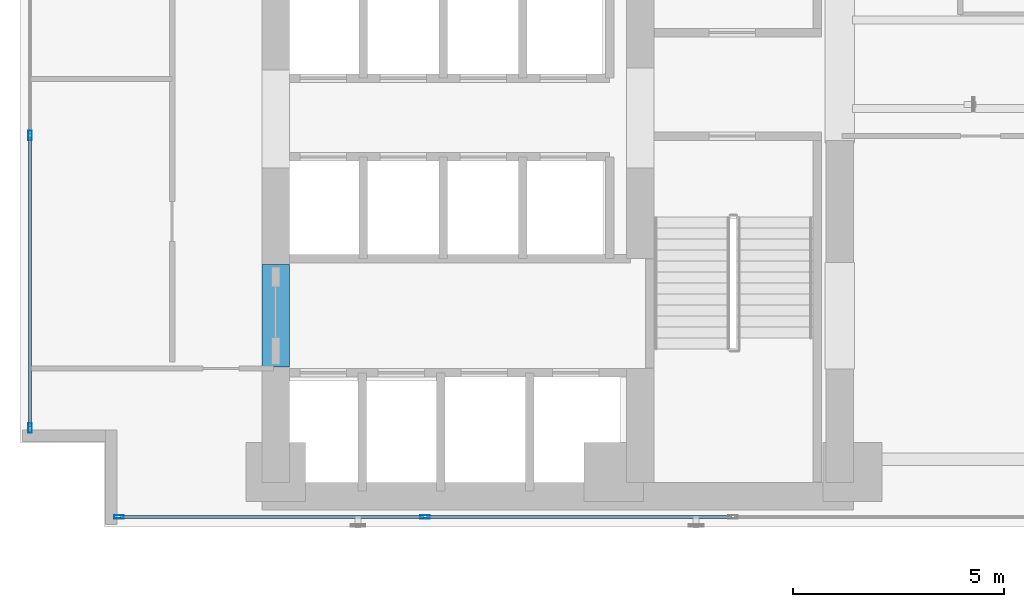
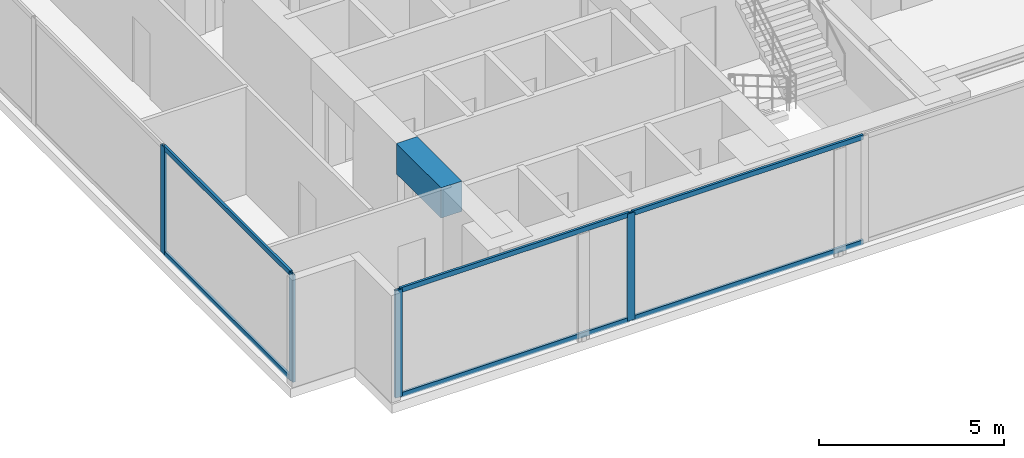
# One storey, part 2 of 26: 10 members, 1 beam, 2 elements without a shape of their own.
"""IFC4 building model written with IfcOpenShell, lengths in metres."""

import ifcopenshell
import ifcopenshell.guid

model = None  # the IFC model being written
_history = None  # IfcOwnerHistory: only IFC2X3 demands one
_inside = {}  # id of a spatial element -> (the spatial element, [elements in it])
_under = {}  # id of a project, library or spatial element -> (it, [spatial elements below it])
_declared = {}  # id of a project -> (the project, [libraries it declares])
_typed = {}  # id of a type object -> (the type object, [elements of that type])
_made_of = {}  # id of a material, layer set ... -> (it, [elements and type objects made of it])


def new_model(schema):
    """Start an empty IFC model of exactly this schema.

    Asked for "IFC4X3", IfcOpenShell would pick the latest addendum, in which some entities
    have other attributes; the version numbers below select the first issue.
    IFC2X3 requires an IfcOwnerHistory on every rooted entity: one is made here for all.
    """
    global model, _history
    if schema == "IFC4X3":
        model = ifcopenshell.file(schema_version=(4, 3, 0, 0))
    else:
        model = ifcopenshell.file(schema=schema)
    _inside.clear()
    _under.clear()
    _declared.clear()
    _typed.clear()
    _made_of.clear()
    _history = None
    if model.schema == "IFC2X3":
        org = make("IfcOrganization", Name="unknown")
        user = make(
            "IfcPersonAndOrganization",
            ThePerson=make("IfcPerson", FamilyName="unknown"),
            TheOrganization=org,
        )
        app = make(
            "IfcApplication",
            ApplicationDeveloper=org,
            Version="unknown",
            ApplicationFullName="unknown",
            ApplicationIdentifier="unknown",
        )
        _history = make(
            "IfcOwnerHistory",
            OwningUser=user,
            OwningApplication=app,
            ChangeAction="ADDED",
            CreationDate=0,
        )
    return model


def make(cls, **values):
    """One entity of the class cls with the attributes given. An attribute that is None is left unset."""
    return model.create_entity(
        cls, **{name: value for name, value in values.items() if value is not None}
    )


def rooted(cls, **values):
    """An entity with a GlobalId (a new one), such as an element, a storey or a relation."""
    return make(cls, GlobalId=ifcopenshell.guid.new(), OwnerHistory=_history, **values)


def si_unit(unit_type, name, prefix=None):
    """IfcSIUnit, for example si_unit("LENGTHUNIT", "METRE", prefix="MILLI")."""
    return make("IfcSIUnit", UnitType=unit_type, Prefix=prefix, Name=name)


def assignment(units):
    """IfcUnitAssignment: the units of a project."""
    return None if units is None else make("IfcUnitAssignment", Units=units)


def point(xyz):
    """IfcCartesianPoint."""
    return None if xyz is None else make("IfcCartesianPoint", Coordinates=xyz)


def direction(xyz):
    """IfcDirection."""
    return None if xyz is None else make("IfcDirection", DirectionRatios=xyz)


def frame(location, z_axis=None, x_axis=None):
    """IfcAxis2Placement3D, a coordinate frame: its origin and axes. An axis left out is left unset."""
    return make(
        "IfcAxis2Placement3D",
        Location=point(location),
        Axis=direction(z_axis),
        RefDirection=direction(x_axis),
    )


def frame_2d(location, x_axis=None):
    """IfcAxis2Placement2D, a coordinate frame in the plane: its origin and x axis."""
    return make(
        "IfcAxis2Placement2D", Location=point(location), RefDirection=direction(x_axis)
    )


def origin():
    """The frame at (0, 0, 0) with its axes left unset."""
    return frame((0.0, 0.0, 0.0))


def origin_with_axes():
    """The frame at (0, 0, 0) with the z axis (0, 0, 1) and the x axis (1, 0, 0) written out."""
    return frame((0.0, 0.0, 0.0), z_axis=(0.0, 0.0, 1.0), x_axis=(1.0, 0.0, 0.0))


def origin_2d():
    """The frame at (0, 0) in the plane with its x axis left unset."""
    return frame_2d((0.0, 0.0))


def place(relative_to, where):
    """IfcLocalPlacement: puts the frame where relative to a parent placement (None: the world)."""
    return make(
        "IfcLocalPlacement", PlacementRelTo=relative_to, RelativePlacement=where
    )


def context(
    kind, dimensions, precision=None, world=None, true_north=None, identifier=None
):
    """IfcGeometricRepresentationContext, for example the 3D "Model" context."""
    return make(
        "IfcGeometricRepresentationContext",
        ContextIdentifier=identifier,
        ContextType=kind,
        CoordinateSpaceDimension=dimensions,
        Precision=precision,
        WorldCoordinateSystem=world,
        TrueNorth=true_north,
    )


def subcontext(parent, identifier, kind, view, scale=None):
    """IfcGeometricRepresentationSubContext, for example "Body" below "Model"."""
    return make(
        "IfcGeometricRepresentationSubContext",
        ContextIdentifier=identifier,
        ContextType=kind,
        ParentContext=parent,
        TargetScale=scale,
        TargetView=view,
    )


def project(units=None, contexts=None):
    """IfcProject with its units and contexts."""
    return rooted(
        "IfcProject",
        Name="project",
        RepresentationContexts=contexts,
        UnitsInContext=assignment(units),
    )


def spatial(cls, under=None, at=None, **own):
    """A site, building, storey or space (cls), placed at a placement, below another one or the project."""
    s = rooted(cls, ObjectPlacement=at, **own)
    if under is not None:
        _under.setdefault(under.id(), (under, []))[1].append(s)
    return s


def profile(cls, at=None, kind="AREA", **sizes):
    """A parametric profile (cls). Its sizes go by their IFC names, for example OverallWidth=200.0."""
    return make(cls, ProfileType=kind, Position=at, **sizes)


def rectangle(**sizes):
    """IfcRectangleProfileDef."""
    return profile("IfcRectangleProfileDef", **sizes)


def hollow_rectangle(**sizes):
    """IfcRectangleHollowProfileDef."""
    return profile("IfcRectangleHollowProfileDef", **sizes)


def extrude(swept, where, along, depth):
    """IfcExtrudedAreaSolid: the profile swept, set in the frame where, extruded along a direction by depth."""
    return make(
        "IfcExtrudedAreaSolid",
        SweptArea=swept,
        Position=where,
        ExtrudedDirection=direction(along),
        Depth=depth,
    )


def shape(context_of_items, identifier, shape_type, items):
    """IfcShapeRepresentation: the items that make up one representation, for example the "Body"."""
    return make(
        "IfcShapeRepresentation",
        ContextOfItems=context_of_items,
        RepresentationIdentifier=identifier,
        RepresentationType=shape_type,
        Items=items,
    )


def source(mapping_origin, context_of_items, identifier, shape_type, items):
    """IfcRepresentationMap: a shape defined once, which mapped items show again and again."""
    return make(
        "IfcRepresentationMap",
        MappingOrigin=mapping_origin,
        MappedRepresentation=shape(context_of_items, identifier, shape_type, items),
    )


def transform(
    local_origin,
    x_axis=None,
    y_axis=None,
    z_axis=None,
    scale=None,
    scale2=None,
    scale3=None,
    uniform=True,
):
    """IfcCartesianTransformationOperator3D, or its non-uniform kind. x_axis, y_axis, z_axis: its Axis1, 2, 3."""
    if uniform:
        return make(
            "IfcCartesianTransformationOperator3D",
            Axis1=direction(x_axis),
            Axis2=direction(y_axis),
            LocalOrigin=point(local_origin),
            Scale=scale,
            Axis3=direction(z_axis),
        )
    return make(
        "IfcCartesianTransformationOperator3DnonUniform",
        Axis1=direction(x_axis),
        Axis2=direction(y_axis),
        LocalOrigin=point(local_origin),
        Scale=scale,
        Axis3=direction(z_axis),
        Scale2=scale2,
        Scale3=scale3,
    )


def mapped(mapping_source, mapping_target):
    """IfcMappedItem: shows the shape of a source again, moved by a transform."""
    return make(
        "IfcMappedItem", MappingSource=mapping_source, MappingTarget=mapping_target
    )


def material(Name=None, Category=None):
    """IfcMaterial."""
    return make("IfcMaterial", Name=Name, Category=Category)


def layer(
    of_material, thickness, ventilated=None, Name=None, Category=None, Priority=None
):
    """IfcMaterialLayer: one layer of a wall or slab, of a material (None: an air gap)."""
    return make(
        "IfcMaterialLayer",
        Material=of_material,
        LayerThickness=thickness,
        IsVentilated=ventilated,
        Name=Name,
        Category=Category,
        Priority=Priority,
    )


def layer_set(layers, Name=None):
    """IfcMaterialLayerSet."""
    return make("IfcMaterialLayerSet", MaterialLayers=layers, LayerSetName=Name)


def material_profile(
    of_material, cross_section, Name=None, Category=None, Priority=None
):
    """IfcMaterialProfile: a cross section and its material."""
    return make(
        "IfcMaterialProfile",
        Name=Name,
        Material=of_material,
        Profile=cross_section,
        Priority=Priority,
        Category=Category,
    )


def profile_set(profiles, Name=None, composite=None):
    """IfcMaterialProfileSet."""
    return make(
        "IfcMaterialProfileSet",
        Name=Name,
        MaterialProfiles=profiles,
        CompositeProfile=composite,
    )


def made_of(thing, what):
    """Note that an element or type object is made of a material, layer set ...; save() writes the relation."""
    if what is not None:
        _made_of.setdefault(what.id(), (what, []))[1].append(thing)
    return thing


def type_object(cls, material=None, **own):
    """A type object (cls), such as IfcWallType, which elements share."""
    return made_of(rooted(cls, **own), material)


def element(
    cls,
    number,
    at=None,
    inside=None,
    cuts=None,
    type_object=None,
    material=None,
    context=None,
    identifier="Body",
    shape_type=None,
    held_by="IfcProductDefinitionShape",
    body=None,
    shapes=None,
    **own,
):
    """One element of the class cls, such as IfcWall. Its Tag is "e" and its number.

    at: its placement. inside: the storey or other place that contains it. cuts: it is an
    opening in that element (IfcRelVoidsElement). A single representation is given by context,
    identifier, shape_type and body (its items); several are given by shapes. held_by: the class
    of the entity that holds the representations. save() writes the other relations.
    """
    e = rooted(cls, Tag="e%d" % number, ObjectPlacement=at, **own)
    if body is not None:
        shapes = [shape(context, identifier, shape_type, body)]
    if shapes is not None:
        e.Representation = make(held_by, Representations=shapes)
    if inside is not None:
        _inside.setdefault(inside.id(), (inside, []))[1].append(e)
    if cuts is not None:
        rooted(
            "IfcRelVoidsElement", RelatingBuildingElement=cuts, RelatedOpeningElement=e
        )
    if type_object is not None:
        _typed.setdefault(type_object.id(), (type_object, []))[1].append(e)
    return made_of(e, material)


def aggregate(whole, parts):
    """IfcRelAggregates: a whole, such as a stair, and the parts it consists of."""
    return rooted("IfcRelAggregates", RelatingObject=whole, RelatedObjects=parts)


def save(model, path):
    """Write the relations noted so far, then the file.

    IfcRelAggregates (storeys below a building ...), IfcRelContainedInSpatialStructure (elements
    in a storey), IfcRelDefinesByType, IfcRelAssociatesMaterial and IfcRelDeclares: one each for
    every whole, place, type object, material and project.
    """
    for whole, parts in _under.values():
        aggregate(whole, parts)
    for where, things in _inside.values():
        rooted(
            "IfcRelContainedInSpatialStructure",
            RelatedElements=things,
            RelatingStructure=where,
        )
    for kind, things in _typed.values():
        rooted("IfcRelDefinesByType", RelatedObjects=things, RelatingType=kind)
    for what, things in _made_of.values():
        rooted("IfcRelAssociatesMaterial", RelatedObjects=things, RelatingMaterial=what)
    for by, libraries in _declared.values():
        rooted("IfcRelDeclares", RelatingContext=by, RelatedDefinitions=libraries)
    model.write(path)


model = new_model("IFC4")

# Units and contexts
model_context = context("Model", 3, precision=1e-05, world=origin(), true_north=direction((0.0, 1.0)))
body_context = subcontext(model_context, "Body", "Model", "MODEL_VIEW")
ifc_project = project(units=[si_unit("LENGTHUNIT", "METRE"), si_unit("AREAUNIT", "SQUARE_METRE"), si_unit("VOLUMEUNIT", "CUBIC_METRE"), si_unit("PLANEANGLEUNIT", "RADIAN"), si_unit("MASSUNIT", "GRAM", prefix="KILO")], contexts=[model_context])

# Site, building, storey
site_placement = place(None, origin())
site = spatial("IfcSite", under=ifc_project, at=site_placement, CompositionType="ELEMENT")
building_placement = place(site_placement, origin())
building = spatial("IfcBuilding", under=site, at=building_placement, Name="Kolvaren Waterfront Exchange", CompositionType="ELEMENT")
storey_placement = place(building_placement, frame((0.0, 0.0, 110.699951171875)))
storey = spatial("IfcBuildingStorey", under=building, at=storey_placement, Name="L28", CompositionType="ELEMENT", Elevation=110.699951171875)

# Beam
ifc_material_1 = material(Name="Concrete C60/75", Category="concrete")
ifc_material_profile_1 = material_profile(ifc_material_1, rectangle(XDim=0.64990234375, YDim=1.0, at=origin_2d()), Name="RC-CB-1000x650")
ifc_profile_set_1 = profile_set([ifc_material_profile_1], Name="Concrete C60/75")
beam_type = type_object("IfcBeamType", Name="STR-CB-1000", PredefinedType="SPANDREL", material=ifc_profile_set_1)
beam_placement = place(storey_placement, frame((7.449951171875, 7.389892578125, 3.0400390625), z_axis=(0.0, 1.0, 0.0), x_axis=(-1.0, 0.0, 0.0)))
element("IfcBeam", 1, at=beam_placement, inside=storey, type_object=beam_type, Name="L28 core coupling beam 3", PredefinedType="SPANDREL", context=body_context, shape_type="SweptSolid", body=[
    extrude(rectangle(XDim=0.64990234375, YDim=1.0, at=origin_2d()), origin(), (0.0, 0.0, 1.0), 2.420166015625),
])

# Curtain wall, members
ifc_material_2 = material(Name="Anodised bronze aluminium 6063-T6", Category="aluminium")
ifc_layer_1 = layer(ifc_material_2, 0.219970703125, Name="Anodised bronze aluminium 6063-T6")
ifc_layer_set_1 = layer_set([ifc_layer_1], Name="Anodised bronze aluminium 6063-T6")
curtain_wall_type_1 = type_object("IfcCurtainWallType", Name="ARC-CW-SYS4", PredefinedType="USERDEFINED", material=ifc_layer_set_1)
curtain_wall_1_placement = place(storey_placement, origin())
curtain_wall_1 = element("IfcCurtainWall", 2, at=curtain_wall_1_placement, inside=storey, type_object=curtain_wall_type_1, Name="L28 stick curtain wall CW4 (CW-L28-S)", ObjectType="STICK CURTAIN WALL", PredefinedType="USERDEFINED")
ifc_material_3 = material(Name="Anodised aluminium 6063-T6", Category="aluminium")
ifc_material_profile_2 = material_profile(ifc_material_3, hollow_rectangle(XDim=0.080078125, YDim=0.219970703125, WallThickness=0.0048828125, at=origin_2d()), Name="ALU-MUL-220x80x5")
ifc_profile_set_2 = profile_set([ifc_material_profile_2], Name="Anodised aluminium 6063-T6")
member_type_1 = type_object("IfcMemberType", Name="ARC-CWM-220", PredefinedType="MULLION", material=ifc_profile_set_2)
shared_shape_1 = source(origin_with_axes(), body_context, "Body", "SweptSolid", [
    extrude(hollow_rectangle(XDim=0.080078125, YDim=0.219970703125, WallThickness=0.0048828125, at=origin_2d()), origin(), (0.0, 0.0, 1.0), 3.5400390625),
])
member_1_placement = place(storey_placement, frame((3.739990234375, 3.840087890625, 0.0), z_axis=(0.0, 0.0, 1.0), x_axis=(0.0, 1.0, 0.0)))
member_1 = element("IfcMember", 3, at=member_1_placement, type_object=member_type_1, Name="CW4 mullion 1", PredefinedType="MULLION", context=body_context, shape_type="MappedRepresentation", body=[
    mapped(shared_shape_1, transform((0.0, 0.0, 0.0), x_axis=(1.0, 0.0, 0.0), y_axis=(0.0, 1.0, 0.0), z_axis=(0.0, 0.0, 1.0), scale=1.0)),
])
member_2_placement = place(storey_placement, frame((10.985595703125, 3.840087890625, 0.0), z_axis=(0.0, 0.0, 1.0), x_axis=(0.0, 1.0, 0.0)))
member_2 = element("IfcMember", 4, at=member_2_placement, type_object=member_type_1, Name="CW4 mullion 2", PredefinedType="MULLION", context=body_context, shape_type="MappedRepresentation", body=[
    mapped(shared_shape_1, transform((0.0, 0.0, 0.0), x_axis=(1.0, 0.0, 0.0), y_axis=(0.0, 1.0, 0.0), z_axis=(0.0, 0.0, 1.0), scale=1.0)),
])

ifc_layer_2 = layer(ifc_material_3, 0.219970703125, Name="Anodised aluminium 6063-T6")
ifc_layer_set_2 = layer_set([ifc_layer_2], Name="Anodised aluminium 6063-T6")
curtain_wall_type_2 = type_object("IfcCurtainWallType", Name="ARC-CW-SYS2", PredefinedType="USERDEFINED", material=ifc_layer_set_2)
curtain_wall_2_placement = place(storey_placement, origin())
curtain_wall_2 = element("IfcCurtainWall", 5, at=curtain_wall_2_placement, inside=storey, type_object=curtain_wall_type_2, Name="L28 stick curtain wall CW2 (CW-L28-W)", ObjectType="STICK CURTAIN WALL", PredefinedType="USERDEFINED")
member_3_placement = place(storey_placement, frame((1.639892578125, 5.93994140625, 0.0), z_axis=(0.0, 0.0, 1.0), x_axis=(-1.0, 0.0, 0.0)))
member_3 = element("IfcMember", 6, at=member_3_placement, type_object=member_type_1, Name="CW2 mullion 1", PredefinedType="MULLION", context=body_context, shape_type="MappedRepresentation", body=[
    mapped(shared_shape_1, transform((0.0, 0.0, 0.0), x_axis=(1.0, 0.0, 0.0), y_axis=(0.0, 1.0, 0.0), z_axis=(0.0, 0.0, 1.0), scale=1.0)),
])
member_4_placement = place(storey_placement, frame((1.639892578125, 12.86669921875, 0.0), z_axis=(0.0, 0.0, 1.0), x_axis=(-1.0, 0.0, 0.0)))
member_4 = element("IfcMember", 7, at=member_4_placement, type_object=member_type_1, Name="CW2 mullion 2", PredefinedType="MULLION", context=body_context, shape_type="MappedRepresentation", body=[
    mapped(shared_shape_1, transform((0.0, 0.0, 0.0), x_axis=(1.0, 0.0, 0.0), y_axis=(0.0, 1.0, 0.0), z_axis=(0.0, 0.0, 1.0), scale=1.0)),
])
ifc_material_profile_3 = material_profile(ifc_material_3, hollow_rectangle(XDim=0.074951171875, YDim=0.159912109375, WallThickness=0.00439453125, at=origin_2d()), Name="ALU-TRN-160x75x4.5")
ifc_profile_set_3 = profile_set([ifc_material_profile_3], Name="Anodised aluminium 6063-T6")
member_type_2 = type_object("IfcMemberType", Name="ARC-CWT-160", PredefinedType="USERDEFINED", material=ifc_profile_set_3)
shared_shape_2 = source(origin_with_axes(), body_context, "Body", "SweptSolid", [
    extrude(hollow_rectangle(XDim=0.074951171875, YDim=0.159912109375, WallThickness=0.00439453125, at=origin_2d()), origin(), (0.0, 0.0, 1.0), 6.8466796875),
])
member_5_placement = place(storey_placement, frame((1.639892578125, 5.97998046875, 0.03759765625), z_axis=(0.0, 1.0, 0.0), x_axis=(-1.0, 0.0, 0.0)))
member_5 = element("IfcMember", 8, at=member_5_placement, type_object=member_type_2, Name="CW2 transom 1.1", ObjectType="TRANSOM", PredefinedType="USERDEFINED", context=body_context, shape_type="MappedRepresentation", body=[
    mapped(shared_shape_2, transform((0.0, 0.0, 0.0), x_axis=(1.0, 0.0, 0.0), y_axis=(0.0, 1.0, 0.0), z_axis=(0.0, 0.0, 1.0), scale=1.0)),
])
member_6_placement = place(storey_placement, frame((1.639892578125, 5.97998046875, 3.50244140625), z_axis=(0.0, 1.0, 0.0), x_axis=(-1.0, 0.0, 0.0)))
member_6 = element("IfcMember", 9, at=member_6_placement, type_object=member_type_2, Name="CW2 transom 1.2", ObjectType="TRANSOM", PredefinedType="USERDEFINED", context=body_context, shape_type="MappedRepresentation", body=[
    mapped(shared_shape_2, transform((0.0, 0.0, 0.0), x_axis=(1.0, 0.0, 0.0), y_axis=(0.0, 1.0, 0.0), z_axis=(0.0, 0.0, 1.0), scale=1.0)),
])
aggregate(curtain_wall_2, [member_3, member_4, member_5, member_6])

# Member
shared_shape_3 = source(origin_with_axes(), body_context, "Body", "SweptSolid", [
    extrude(hollow_rectangle(XDim=0.074951171875, YDim=0.159912109375, WallThickness=0.00439453125, at=origin_2d()), origin(), (0.0, 0.0, 1.0), 7.165771484375),
])
member_7_placement = place(storey_placement, frame((3.780029296875, 3.840087890625, 0.03759765625), z_axis=(1.0, 0.0, 0.0), x_axis=(0.0, 1.0, 0.0)))
member_7 = element("IfcMember", 10, at=member_7_placement, type_object=member_type_2, Name="CW4 transom 1.1", ObjectType="TRANSOM", PredefinedType="USERDEFINED", context=body_context, shape_type="MappedRepresentation", body=[
    mapped(shared_shape_3, transform((0.0, 0.0, 0.0), x_axis=(1.0, 0.0, 0.0), y_axis=(0.0, 1.0, 0.0), z_axis=(0.0, 0.0, 1.0), scale=1.0)),
])

member_8_placement = place(storey_placement, frame((3.780029296875, 3.840087890625, 3.50244140625), z_axis=(1.0, 0.0, 0.0), x_axis=(0.0, 1.0, 0.0)))
member_8 = element("IfcMember", 11, at=member_8_placement, type_object=member_type_2, Name="CW4 transom 1.2", ObjectType="TRANSOM", PredefinedType="USERDEFINED", context=body_context, shape_type="MappedRepresentation", body=[
    mapped(shared_shape_3, transform((0.0, 0.0, 0.0), x_axis=(1.0, 0.0, 0.0), y_axis=(0.0, 1.0, 0.0), z_axis=(0.0, 0.0, 1.0), scale=1.0)),
])

shared_shape_4 = source(origin_with_axes(), body_context, "Body", "SweptSolid", [
    extrude(hollow_rectangle(XDim=0.074951171875, YDim=0.159912109375, WallThickness=0.00439453125, at=origin_2d()), origin(), (0.0, 0.0, 1.0), 7.205810546875),
])
member_9_placement = place(storey_placement, frame((11.025634765625, 3.840087890625, 0.03759765625), z_axis=(1.0, 0.0, 0.0), x_axis=(0.0, 1.0, 0.0)))
member_9 = element("IfcMember", 12, at=member_9_placement, type_object=member_type_2, Name="CW4 transom 2.1", ObjectType="TRANSOM", PredefinedType="USERDEFINED", context=body_context, shape_type="MappedRepresentation", body=[
    mapped(shared_shape_4, transform((0.0, 0.0, 0.0), x_axis=(1.0, 0.0, 0.0), y_axis=(0.0, 1.0, 0.0), z_axis=(0.0, 0.0, 1.0), scale=1.0)),
])

member_10_placement = place(storey_placement, frame((11.025634765625, 3.840087890625, 3.50244140625), z_axis=(1.0, 0.0, 0.0), x_axis=(0.0, 1.0, 0.0)))
member_10 = element("IfcMember", 13, at=member_10_placement, type_object=member_type_2, Name="CW4 transom 2.2", ObjectType="TRANSOM", PredefinedType="USERDEFINED", context=body_context, shape_type="MappedRepresentation", body=[
    mapped(shared_shape_4, transform((0.0, 0.0, 0.0), x_axis=(1.0, 0.0, 0.0), y_axis=(0.0, 1.0, 0.0), z_axis=(0.0, 0.0, 1.0), scale=1.0)),
])

aggregate(curtain_wall_1, [member_1, member_2, member_7, member_8, member_9, member_10])

save(model, "model.ifc")
